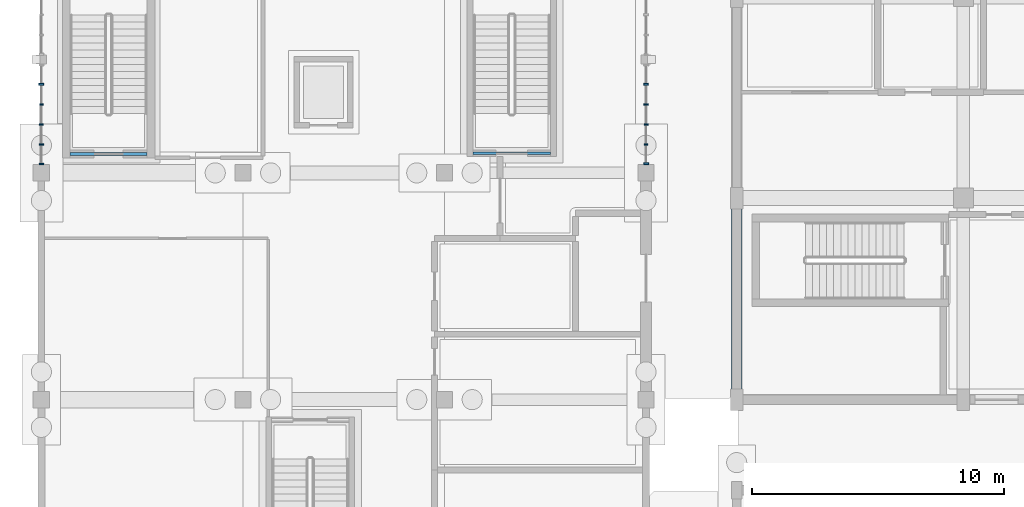
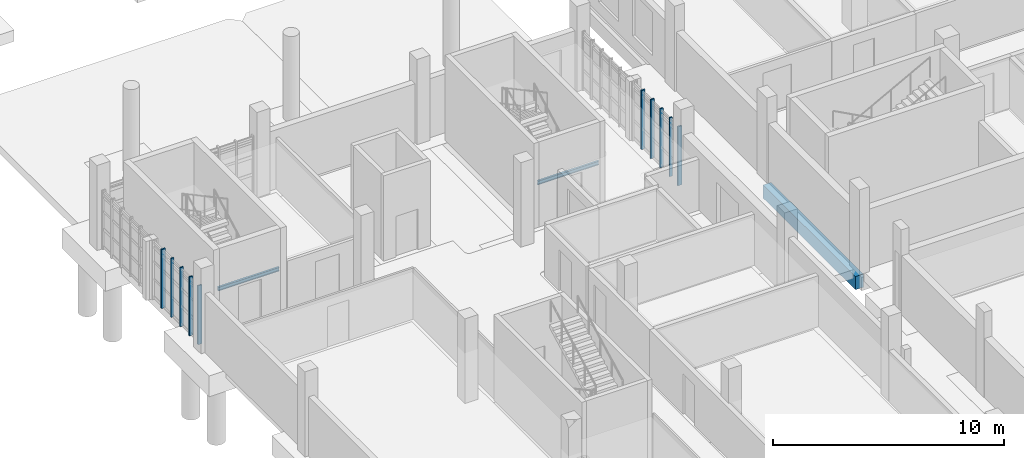
# One storey, part 11 of 63: 10 members, 3 beams, 2 elements without a shape of their own.
"""IFC4 building model written with IfcOpenShell, lengths in metres."""

from ifc_helpers import new_model, si_unit, direction, frame, origin, origin_2d, place, context, subcontext, project, spatial, rectangle, i_section, extrude, material, material_profile, profile_set, type_object, element, aggregate, save


model = new_model("IFC4")

# Units and contexts
model_context = context("Model", 3, precision=1e-05, world=origin(), true_north=direction((0.0, 1.0)))
body_context = subcontext(model_context, "Body", "Model", "MODEL_VIEW")
ifc_project = project(units=[si_unit("LENGTHUNIT", "METRE"), si_unit("AREAUNIT", "SQUARE_METRE"), si_unit("VOLUMEUNIT", "CUBIC_METRE"), si_unit("PLANEANGLEUNIT", "RADIAN"), si_unit("MASSUNIT", "GRAM", prefix="KILO")], contexts=[model_context])

# Site, building, storey
site_placement = place(None, origin())
site = spatial("IfcSite", under=ifc_project, at=site_placement, CompositionType="ELEMENT")
building_placement = place(site_placement, origin())
building = spatial("IfcBuilding", under=site, at=building_placement, Name="Serraforn Aerial Cableway Station", CompositionType="ELEMENT")
storey_placement = place(building_placement, origin())
storey = spatial("IfcBuildingStorey", under=building, at=storey_placement, Name="L00", CompositionType="ELEMENT", Elevation=0.0)

# Beams
ifc_material_1 = material(Name="Concrete C35/45", Category="concrete")
ifc_material_profile_1 = material_profile(ifc_material_1, rectangle(XDim=0.39990234375, YDim=0.699951171875, at=origin_2d()), Name="RC 400x700")
ifc_profile_set_1 = profile_set([ifc_material_profile_1], Name="Concrete C35/45")
beam_type_1 = type_object("IfcBeamType", Name="BM-RC-400x700E", PredefinedType="SPANDREL", material=ifc_profile_set_1)
beam_placement = place(storey_placement, frame((27.60009765625, 18.0, -0.7099609375), z_axis=(0.0, 1.0, 0.0), x_axis=(-1.0, 0.0, 0.0)))
element("IfcBeam", 1, at=beam_placement, inside=storey, type_object=beam_type_1, Name="Grid Girder Y CV L00 X1-1", PredefinedType="SPANDREL", context=body_context, shape_type="SweptSolid", body=[
    extrude(rectangle(XDim=0.39990234375, YDim=0.699951171875, at=origin_2d()), origin(), (0.0, 0.0, 1.0), 8.0),
])
ifc_material_2 = material(Name="Steel S355JR", Category="steel")
ifc_material_profile_2 = material_profile(ifc_material_2, i_section(OverallWidth=0.10009765625, OverallDepth=0.199951171875, WebThickness=0.005615234375, FlangeThickness=0.008544921875, FilletRadius=0.011962890625, at=origin_2d()), Name="IPE 200")
ifc_profile_set_2 = profile_set([ifc_material_profile_2], Name="Steel S355JR")
beam_type_2 = type_object("IfcBeamType", Name="BM-ST-IPE200", PredefinedType="LINTEL", material=ifc_profile_set_2)
for number, where, z_axis, x_axis, name in (
    (2, (4.199951171875, 27.75, 2.27490234375), (-1.0, 0.0, 0.0), (0.0, -1.0, 0.0), "Stair Core Door Lintel D-S01"),
    (3, (20.199951171875, 27.77490234375, 2.27490234375), (-1.0, 0.0, 0.0), (0.0, -1.0, 0.0), "Stair Core Door Lintel D-S05"),
):
    element("IfcBeam", number, at=place(storey_placement, frame(where, z_axis=z_axis, x_axis=x_axis)), inside=storey, type_object=beam_type_2, Name=name, PredefinedType="LINTEL", context=body_context, shape_type="SweptSolid", body=[
        extrude(i_section(OverallWidth=0.10009765625, OverallDepth=0.199951171875, WebThickness=0.005615234375, FlangeThickness=0.008544921875, FilletRadius=0.011962890625, at=origin_2d()), origin(), (0.0, 0.0, 1.0), 3.06005859375),
    ])

# Curtain wall, member
ifc_material_3 = material(Name="Anodised bronze unitised curtain wall")
curtain_wall_type_1 = type_object("IfcCurtainWallType", Name="CW-SYS-8", PredefinedType="USERDEFINED", material=ifc_material_3)
curtain_wall_1_placement = place(storey_placement, origin())
curtain_wall_1 = element("IfcCurtainWall", 4, at=curtain_wall_1_placement, inside=storey, type_object=curtain_wall_type_1, Name="Unitised Curtain Wall CW-W-L00-W4B", ObjectType="UNITISED CURTAIN WALL", PredefinedType="USERDEFINED")
ifc_material_4 = material(Name="Anodised bronze extruded aluminium", Category="aluminium")
ifc_material_profile_3 = material_profile(ifc_material_4, rectangle(XDim=0.054931640625, YDim=0.139892578125, at=origin_2d()), Name="CW MULLION 55x140")
ifc_profile_set_3 = profile_set([ifc_material_profile_3], Name="Anodised bronze extruded aluminium")
member_type_1 = type_object("IfcMemberType", Name="CW-MUL-1", PredefinedType="MULLION", material=ifc_profile_set_3)
member_1_placement = place(storey_placement, frame((0.0, 29.72119140625, 0.0), z_axis=(0.0, 0.0, 1.0), x_axis=(0.0, -1.0, 0.0)))
member_1 = element("IfcMember", 5, at=member_1_placement, type_object=member_type_1, Name="Curtain Wall Mullion CW-W-L00-W4B-M3", PredefinedType="MULLION", context=body_context, shape_type="SweptSolid", body=[
    extrude(rectangle(XDim=0.054931640625, YDim=0.139892578125, at=origin_2d()), origin(), (0.0, 0.0, 1.0), 3.1201171875),
])

curtain_wall_type_2 = type_object("IfcCurtainWallType", Name="CW-SYS-9", PredefinedType="USERDEFINED", material=ifc_material_3)
curtain_wall_2_placement = place(storey_placement, origin())
curtain_wall_2 = element("IfcCurtainWall", 6, at=curtain_wall_2_placement, inside=storey, type_object=curtain_wall_type_2, Name="Unitised Curtain Wall CW-W-L00-E4A", ObjectType="UNITISED CURTAIN WALL", PredefinedType="USERDEFINED")
member_2_placement = place(storey_placement, frame((24.0, 28.122314453125, 0.0), z_axis=(0.0, 0.0, 1.0), x_axis=(0.0, 1.0, 0.0)))
member_2 = element("IfcMember", 7, at=member_2_placement, type_object=member_type_1, Name="Curtain Wall Mullion CW-W-L00-E4A-M2", PredefinedType="MULLION", context=body_context, shape_type="SweptSolid", body=[
    extrude(rectangle(XDim=0.054931640625, YDim=0.139892578125, at=origin_2d()), origin(), (0.0, 0.0, 1.0), 3.1201171875),
])

# Member
ifc_material_profile_4 = material_profile(ifc_material_4, rectangle(XDim=0.06005859375, YDim=0.159912109375, at=origin_2d()), Name="CW MULLION 60x160")
ifc_profile_set_4 = profile_set([ifc_material_profile_4], Name="Anodised bronze extruded aluminium")
member_type_2 = type_object("IfcMemberType", Name="CW-MUL-2", PredefinedType="MULLION", material=ifc_profile_set_4)
member_3_placement = place(storey_placement, frame((0.0, 28.921875, 0.0), z_axis=(0.0, 0.0, 1.0), x_axis=(0.0, -1.0, 0.0)))
member_3 = element("IfcMember", 8, at=member_3_placement, type_object=member_type_2, Name="Curtain Wall Mullion CW-W-L00-W4B-M4", PredefinedType="MULLION", context=body_context, shape_type="SweptSolid", body=[
    extrude(rectangle(XDim=0.06005859375, YDim=0.159912109375, at=origin_2d()), origin(), (0.0, 0.0, 1.0), 3.1201171875),
])

member_4_placement = place(storey_placement, frame((24.0, 28.921875, 0.0), z_axis=(0.0, 0.0, 1.0), x_axis=(0.0, 1.0, 0.0)))
member_4 = element("IfcMember", 9, at=member_4_placement, type_object=member_type_2, Name="Curtain Wall Mullion CW-W-L00-E4A-M3", PredefinedType="MULLION", context=body_context, shape_type="SweptSolid", body=[
    extrude(rectangle(XDim=0.06005859375, YDim=0.159912109375, at=origin_2d()), origin(), (0.0, 0.0, 1.0), 3.1201171875),
])

ifc_material_profile_5 = material_profile(ifc_material_4, rectangle(XDim=0.06494140625, YDim=0.175048828125, at=origin_2d()), Name="CW MULLION 65x175")
ifc_profile_set_5 = profile_set([ifc_material_profile_5], Name="Anodised bronze extruded aluminium")
member_type_3 = type_object("IfcMemberType", Name="CW-MUL-3", PredefinedType="MULLION", material=ifc_profile_set_5)
member_5_placement = place(storey_placement, frame((0.0, 28.122314453125, 0.0), z_axis=(0.0, 0.0, 1.0), x_axis=(0.0, -1.0, 0.0)))
member_5 = element("IfcMember", 10, at=member_5_placement, type_object=member_type_3, Name="Curtain Wall Mullion CW-W-L00-W4B-M5", PredefinedType="MULLION", context=body_context, shape_type="SweptSolid", body=[
    extrude(rectangle(XDim=0.06494140625, YDim=0.175048828125, at=origin_2d()), origin(), (0.0, 0.0, 1.0), 3.1201171875),
])

member_6_placement = place(storey_placement, frame((24.0, 29.72119140625, 0.0), z_axis=(0.0, 0.0, 1.0), x_axis=(0.0, 1.0, 0.0)))
member_6 = element("IfcMember", 11, at=member_6_placement, type_object=member_type_3, Name="Curtain Wall Mullion CW-W-L00-E4A-M4", PredefinedType="MULLION", context=body_context, shape_type="SweptSolid", body=[
    extrude(rectangle(XDim=0.06494140625, YDim=0.175048828125, at=origin_2d()), origin(), (0.0, 0.0, 1.0), 3.1201171875),
])

ifc_material_profile_6 = material_profile(ifc_material_4, rectangle(XDim=0.070068359375, YDim=0.18994140625, at=origin_2d()), Name="CW MULLION 70x190")
ifc_profile_set_6 = profile_set([ifc_material_profile_6], Name="Anodised bronze extruded aluminium")
member_type_4 = type_object("IfcMemberType", Name="CW-MUL-4", PredefinedType="MULLION", material=ifc_profile_set_6)
member_7_placement = place(storey_placement, frame((0.0, 27.35791015625, 0.0), z_axis=(0.0, 0.0, 1.0), x_axis=(0.0, -1.0, 0.0)))
member_7 = element("IfcMember", 12, at=member_7_placement, type_object=member_type_4, Name="Curtain Wall Mullion CW-W-L00-W4B-M6", PredefinedType="MULLION", context=body_context, shape_type="SweptSolid", body=[
    extrude(rectangle(XDim=0.070068359375, YDim=0.18994140625, at=origin_2d()), origin(), (0.0, 0.0, 1.0), 3.1201171875),
])

member_8_placement = place(storey_placement, frame((24.0, 30.5205078125, 0.0), z_axis=(0.0, 0.0, 1.0), x_axis=(0.0, 1.0, 0.0)))
member_8 = element("IfcMember", 13, at=member_8_placement, type_object=member_type_4, Name="Curtain Wall Mullion CW-W-L00-E4A-M5", PredefinedType="MULLION", context=body_context, shape_type="SweptSolid", body=[
    extrude(rectangle(XDim=0.070068359375, YDim=0.18994140625, at=origin_2d()), origin(), (0.0, 0.0, 1.0), 3.1201171875),
])

ifc_material_profile_7 = material_profile(ifc_material_4, rectangle(XDim=0.074951171875, YDim=0.199951171875, at=origin_2d()), Name="CW MULLION 75x200")
ifc_profile_set_7 = profile_set([ifc_material_profile_7], Name="Anodised bronze extruded aluminium")
member_type_5 = type_object("IfcMemberType", Name="CW-MUL-5", PredefinedType="MULLION", material=ifc_profile_set_7)
member_9_placement = place(storey_placement, frame((0.0, 30.5205078125, 0.0), z_axis=(0.0, 0.0, 1.0), x_axis=(0.0, -1.0, 0.0)))
member_9 = element("IfcMember", 14, at=member_9_placement, type_object=member_type_5, Name="Curtain Wall Mullion CW-W-L00-W4B-M2", PredefinedType="MULLION", context=body_context, shape_type="SweptSolid", body=[
    extrude(rectangle(XDim=0.074951171875, YDim=0.199951171875, at=origin_2d()), origin(), (0.0, 0.0, 1.0), 3.1201171875),
])

aggregate(curtain_wall_1, [member_9, member_1, member_3, member_5, member_7])

member_10_placement = place(storey_placement, frame((24.0, 27.360595703125, 0.0), z_axis=(0.0, 0.0, 1.0), x_axis=(0.0, 1.0, 0.0)))
member_10 = element("IfcMember", 15, at=member_10_placement, type_object=member_type_5, Name="Curtain Wall Mullion CW-W-L00-E4A-M1", PredefinedType="MULLION", context=body_context, shape_type="SweptSolid", body=[
    extrude(rectangle(XDim=0.074951171875, YDim=0.199951171875, at=origin_2d()), origin(), (0.0, 0.0, 1.0), 3.1201171875),
])

aggregate(curtain_wall_2, [member_10, member_2, member_4, member_6, member_8])

save(model, "model.ifc")
